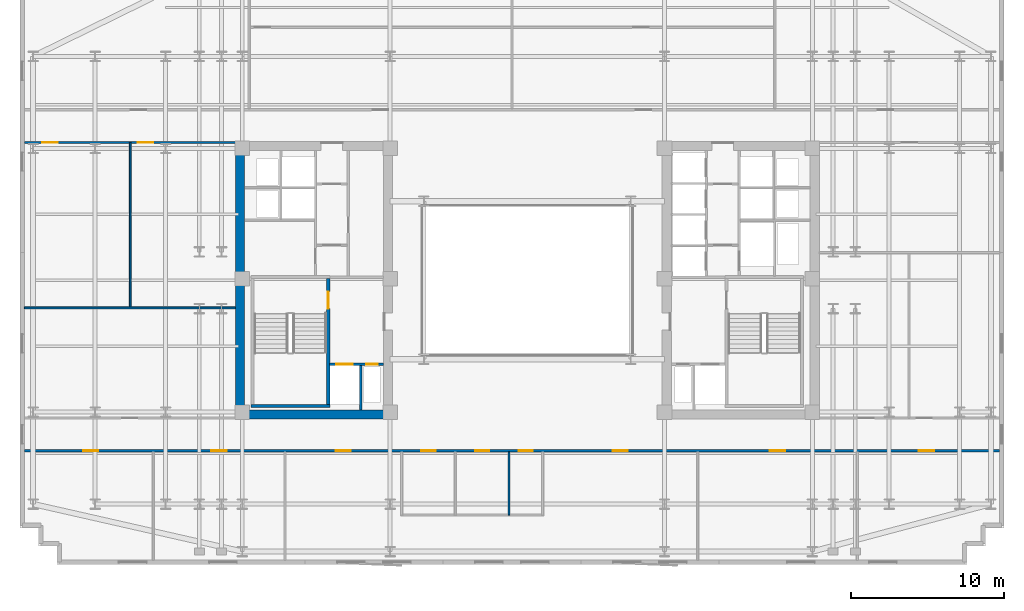
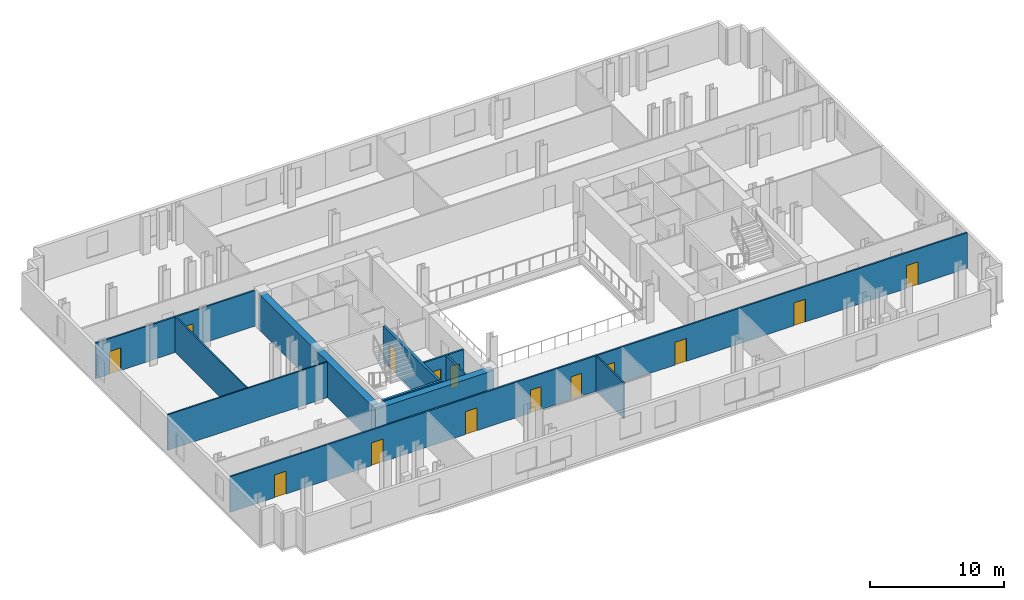
# One storey, part 4 of 10: 14 doors, 11 walls, 14 openings.
"""IFC4 building model written with IfcOpenShell, lengths in metres."""

from ifc_helpers import new_model, si_unit, direction, frame, frame_2d, origin, place, context, subcontext, project, spatial, rectangle, extrude, material, layer, layer_set, type_object, element, fill, save


model = new_model("IFC4")

# Units and contexts
model_context = context("Model", 3, precision=1e-05, world=origin(), true_north=direction((0.0, 1.0)))
body_context = subcontext(model_context, "Body", "Model", "MODEL_VIEW")
ifc_project = project(units=[si_unit("LENGTHUNIT", "METRE"), si_unit("AREAUNIT", "SQUARE_METRE"), si_unit("VOLUMEUNIT", "CUBIC_METRE"), si_unit("PLANEANGLEUNIT", "RADIAN"), si_unit("MASSUNIT", "GRAM", prefix="KILO")], contexts=[model_context])

# Site, building, storey
site_placement = place(None, origin())
site = spatial("IfcSite", under=ifc_project, at=site_placement, CompositionType="ELEMENT")
building_placement = place(site_placement, origin())
building = spatial("IfcBuilding", under=site, at=building_placement, Name="Velakula Bourse", CompositionType="ELEMENT")
storey_placement = place(building_placement, frame((0.0, 0.0, 141.550048828125)))
storey = spatial("IfcBuildingStorey", under=building, at=storey_placement, Name="L38", CompositionType="ELEMENT", Elevation=141.550048828125)

# Wall, opening, door
ifc_material_1 = material(Name="Concrete M50 (fck 50 MPa)", Category="concrete")
ifc_layer_1 = layer(ifc_material_1, 0.2099609375, Name="Concrete M50 (fck 50 MPa)", Category="concrete")
ifc_layer_set_1 = layer_set([ifc_layer_1], Name="Concrete M50 (fck 50 MPa)")
wall_type_1 = type_object("IfcWallType", Name="WL-CORE-210", PredefinedType="SHEAR", material=ifc_layer_set_1)
wall_1_placement = place(storey_placement, frame((-12.9951171875, -8.10009765625, 0.0), z_axis=(0.0, 0.0, 1.0), x_axis=(0.0, 1.0, 0.0)))
wall_1 = element("IfcWall", 1, at=wall_1_placement, inside=storey, type_object=wall_type_1, Name="L38 Core W Stairwell Shear Wall IN", PredefinedType="SHEAR", context=body_context, shape_type="SweptSolid", body=[
    extrude(rectangle(XDim=8.2001953125, YDim=0.2099609375, at=frame_2d((4.10009765625, 0.0))), origin(), (0.0, 0.0, 1.0), 3.27001953125),
])
opening_1_placement = place(wall_1_placement, frame((6.25, 0.0, 0.0)))
opening_1 = element("IfcOpeningElement", 2, at=opening_1_placement, cuts=wall_1, Name="Opening D-STW1", PredefinedType="OPENING", context=body_context, shape_type="SweptSolid", body=[
    extrude(rectangle(XDim=1.10009765625, YDim=2.14990234375, at=frame_2d((0.550048828125, 1.074951171875))), frame((0.0, 0.114990234375, 0.0), z_axis=(0.0, -1.0, 0.0), x_axis=(1.0, 0.0, 0.0)), (0.0, 0.0, 1.0), 0.22998046875),
])
ifc_material_2 = material(Name="Galvanised painted hollow steel fire door", Category="steel")
door_type_1 = type_object("IfcDoorType", Name="DR-FD120-1100x2150", OperationType="NOTDEFINED", PredefinedType="DOOR", material=ifc_material_2)
door_1_placement = place(opening_1_placement, origin())
door_1 = element("IfcDoor", 3, at=door_1_placement, inside=storey, type_object=door_type_1, Name="L38 Stair ST-W1 Fire Door", OperationType="SINGLE_SWING_LEFT", OverallHeight=2.14990234375, OverallWidth=1.10009765625, PredefinedType="DOOR", context=body_context, shape_type="SweptSolid", body=[
    extrude(rectangle(XDim=1.10009765625, YDim=2.14990234375, at=frame_2d((0.550048828125, 1.074951171875))), frame((0.0, 0.02490234375, 0.0), z_axis=(0.0, -1.0, 0.0), x_axis=(1.0, 0.0, 0.0)), (0.0, 0.0, 1.0), 0.050048828125),
])
fill(opening_1, door_1)

# Walls
wall_2_placement = place(storey_placement, frame((-18.030029296875, -8.205078125, 0.0), z_axis=(0.0, 0.0, 1.0), x_axis=(1.0, 0.0, 0.0)))
element("IfcWall", 4, at=wall_2_placement, inside=storey, type_object=wall_type_1, Name="L38 Core W Stairwell Shear Wall S", PredefinedType="SHEAR", context=body_context, shape_type="SweptSolid", body=[
    extrude(rectangle(XDim=5.14013671875, YDim=0.2099609375, at=frame_2d((2.570068359375, 0.0))), origin(), (0.0, 0.0, 1.0), 3.27001953125),
])
ifc_material_3 = material(Name="Concrete M70 (fck 70 MPa)", Category="concrete")
ifc_layer_2 = layer(ifc_material_3, 0.60009765625, Name="Concrete M70 (fck 70 MPa)", Category="concrete")
ifc_layer_set_2 = layer_set([ifc_layer_2], Name="Concrete M70 (fck 70 MPa)")
wall_type_2 = type_object("IfcWallType", Name="WL-CORE-600", PredefinedType="SHEAR", material=ifc_layer_set_2)
wall_3_placement = place(storey_placement, frame((-19.050048828125, -8.75, 0.0), z_axis=(0.0, 0.0, 1.0), x_axis=(1.0, 0.0, 0.0)))
element("IfcWall", 5, at=wall_3_placement, inside=storey, type_object=wall_type_2, Name="L38 Core W Shear Wall S", PredefinedType="SHEAR", context=body_context, shape_type="SweptSolid", body=[
    extrude(rectangle(XDim=10.25, YDim=0.60009765625, at=frame_2d((5.125, 0.0))), origin(), (0.0, 0.0, 1.0), 3.27001953125),
])
wall_4_placement = place(storey_placement, frame((-18.75, -8.449951171875, 0.0), z_axis=(0.0, 0.0, 1.0), x_axis=(0.0, 1.0, 0.0)))
element("IfcWall", 6, at=wall_4_placement, inside=storey, type_object=wall_type_2, Name="L38 Core W Shear Wall W", PredefinedType="SHEAR", context=body_context, shape_type="SweptSolid", body=[
    extrude(rectangle(XDim=16.89990234375, YDim=0.60009765625, at=frame_2d((8.449951171875, 0.0))), origin(), (0.0, 0.0, 1.0), 3.27001953125),
])
ifc_material_4 = material(Name="Fire-rated double-layer gypsum drywall partition", Category="gypsum")
ifc_layer_3 = layer(ifc_material_4, 0.1201171875, Name="Fire-rated double-layer gypsum drywall partition", Category="gypsum")
ifc_layer_set_3 = layer_set([ifc_layer_3], Name="Fire-rated double-layer gypsum drywall partition")
wall_type_3 = type_object("IfcWallType", Name="WL-PART-120", PredefinedType="STANDARD", material=ifc_layer_set_3)
wall_5_placement = place(storey_placement, frame((-1.199951171875, -15.320068359375, 0.0), z_axis=(0.0, 0.0, 1.0), x_axis=(0.0, 1.0, 0.0)))
element("IfcWall", 7, at=wall_5_placement, inside=storey, type_object=wall_type_3, Name="L38 Interior Partition WL-WC-L38-V3", PredefinedType="STANDARD", context=body_context, shape_type="SweptSolid", body=[
    extrude(rectangle(XDim=4.130126953125, YDim=0.1201171875, at=frame_2d((2.06494140625, 0.0))), origin(), (0.0, 0.0, 1.0), 3.25),
])
wall_6_placement = place(storey_placement, frame((-32.820068359375, -1.800048828125, 0.0), z_axis=(0.0, 0.0, 1.0), x_axis=(1.0, 0.0, 0.0)))
element("IfcWall", 8, at=wall_6_placement, inside=storey, type_object=wall_type_3, Name="L38 Interior Partition WL-INT-L38-W-H", PredefinedType="STANDARD", context=body_context, shape_type="SweptSolid", body=[
    extrude(rectangle(XDim=13.77001953125, YDim=0.1201171875, at=frame_2d((6.885009765625, 0.0))), origin(), (0.0, 0.0, 1.0), 3.25),
])
wall_7_placement = place(storey_placement, frame((-25.905029296875, -1.739990234375, 0.0), z_axis=(0.0, 0.0, 1.0), x_axis=(0.0, 1.0, 0.0)))
element("IfcWall", 9, at=wall_7_placement, inside=storey, type_object=wall_type_3, Name="L38 Interior Partition WL-INT-L38-W-VN", PredefinedType="STANDARD", context=body_context, shape_type="SweptSolid", body=[
    extrude(rectangle(XDim=10.719970703125, YDim=0.1201171875, at=frame_2d((5.35986328125, 0.0))), origin(), (0.0, 0.0, 1.0), 3.25),
])

# Wall, openings, doors
ifc_layer_4 = layer(ifc_material_4, 0.139892578125, Name="Fire-rated double-layer gypsum drywall partition", Category="gypsum")
ifc_layer_set_4 = layer_set([ifc_layer_4], Name="Fire-rated double-layer gypsum drywall partition")
wall_type_4 = type_object("IfcWallType", Name="WL-PART-140", PredefinedType="STANDARD", material=ifc_layer_set_4)
wall_8_placement = place(storey_placement, frame((-32.820068359375, -11.1201171875, 0.0), z_axis=(0.0, 0.0, 1.0), x_axis=(1.0, 0.0, 0.0)))
wall_8 = element("IfcWall", 10, at=wall_8_placement, inside=storey, type_object=wall_type_4, Name="L38 Interior Partition WL-INT-L38-S-CORR", PredefinedType="STANDARD", context=body_context, shape_type="SweptSolid", body=[
    extrude(rectangle(XDim=63.64013671875, YDim=0.139892578125, at=frame_2d((31.820068359375, 0.0))), origin(), (0.0, 0.0, 1.0), 3.25),
])
opening_2_placement = place(wall_8_placement, frame((25.909912109375, 0.0, 0.0)))
opening_2 = element("IfcOpeningElement", 11, at=opening_2_placement, cuts=wall_8, Name="Opening D-WT1", PredefinedType="OPENING", context=body_context, shape_type="SweptSolid", body=[
    extrude(rectangle(XDim=0.919921875, YDim=2.080078125, at=frame_2d((0.4599609375, 1.0400390625))), frame((0.0, 0.079833984375, 0.0), z_axis=(0.0, -1.0, 0.0), x_axis=(1.0, 0.0, 0.0)), (0.0, 0.0, 1.0), 0.159912109375),
])
opening_3_placement = place(wall_8_placement, frame((29.409912109375, 0.0, 0.0)))
opening_3 = element("IfcOpeningElement", 12, at=opening_3_placement, cuts=wall_8, Name="Opening D-WT1", PredefinedType="OPENING", context=body_context, shape_type="SweptSolid", body=[
    extrude(rectangle(XDim=0.919921875, YDim=2.080078125, at=frame_2d((0.4599609375, 1.0400390625))), frame((0.0, 0.079833984375, 0.0), z_axis=(0.0, -1.0, 0.0), x_axis=(1.0, 0.0, 0.0)), (0.0, 0.0, 1.0), 0.159912109375),
])
opening_4_placement = place(wall_8_placement, frame((32.260009765625, 0.0, 0.0)))
opening_4 = element("IfcOpeningElement", 13, at=opening_4_placement, cuts=wall_8, Name="Opening D-WC1", PredefinedType="OPENING", context=body_context, shape_type="SweptSolid", body=[
    extrude(rectangle(XDim=0.919921875, YDim=2.080078125, at=frame_2d((0.4599609375, 1.0400390625))), frame((0.0, 0.079833984375, 0.0), z_axis=(0.0, -1.0, 0.0), x_axis=(1.0, 0.0, 0.0)), (0.0, 0.0, 1.0), 0.159912109375),
])
opening_5_placement = place(wall_8_placement, frame((3.8310546875, 0.0, 0.0)))
opening_5 = element("IfcOpeningElement", 14, at=opening_5_placement, cuts=wall_8, Name="Opening D-OF1", PredefinedType="OPENING", context=body_context, shape_type="SweptSolid", body=[
    extrude(rectangle(XDim=1.0, YDim=2.080078125, at=frame_2d((0.5, 1.0400390625))), frame((0.0, 0.079833984375, 0.0), z_axis=(0.0, -1.0, 0.0), x_axis=(1.0, 0.0, 0.0)), (0.0, 0.0, 1.0), 0.159912109375),
])
opening_6_placement = place(wall_8_placement, frame((12.2080078125, 0.0, 0.0)))
opening_6 = element("IfcOpeningElement", 15, at=opening_6_placement, cuts=wall_8, Name="Opening D-OF1", PredefinedType="OPENING", context=body_context, shape_type="SweptSolid", body=[
    extrude(rectangle(XDim=1.0, YDim=2.080078125, at=frame_2d((0.5, 1.0400390625))), frame((0.0, 0.079833984375, 0.0), z_axis=(0.0, -1.0, 0.0), x_axis=(1.0, 0.0, 0.0)), (0.0, 0.0, 1.0), 0.159912109375),
])
opening_7_placement = place(wall_8_placement, frame((20.31298828125, 0.0, 0.0)))
opening_7 = element("IfcOpeningElement", 16, at=opening_7_placement, cuts=wall_8, Name="Opening D-OF1", PredefinedType="OPENING", context=body_context, shape_type="SweptSolid", body=[
    extrude(rectangle(XDim=1.0, YDim=2.080078125, at=frame_2d((0.5, 1.0400390625))), frame((0.0, 0.079833984375, 0.0), z_axis=(0.0, -1.0, 0.0), x_axis=(1.0, 0.0, 0.0)), (0.0, 0.0, 1.0), 0.159912109375),
])
opening_8_placement = place(wall_8_placement, frame((38.37890625, 0.0, 0.0)))
opening_8 = element("IfcOpeningElement", 17, at=opening_8_placement, cuts=wall_8, Name="Opening D-OF1", PredefinedType="OPENING", context=body_context, shape_type="SweptSolid", body=[
    extrude(rectangle(XDim=1.0, YDim=2.080078125, at=frame_2d((0.5, 1.0400390625))), frame((0.0, 0.079833984375, 0.0), z_axis=(0.0, -1.0, 0.0), x_axis=(1.0, 0.0, 0.0)), (0.0, 0.0, 1.0), 0.159912109375),
])
opening_9_placement = place(wall_8_placement, frame((48.64599609375, 0.0, 0.0)))
opening_9 = element("IfcOpeningElement", 18, at=opening_9_placement, cuts=wall_8, Name="Opening D-OF1", PredefinedType="OPENING", context=body_context, shape_type="SweptSolid", body=[
    extrude(rectangle(XDim=1.0, YDim=2.080078125, at=frame_2d((0.5, 1.0400390625))), frame((0.0, 0.079833984375, 0.0), z_axis=(0.0, -1.0, 0.0), x_axis=(1.0, 0.0, 0.0)), (0.0, 0.0, 1.0), 0.159912109375),
])
opening_10_placement = place(wall_8_placement, frame((58.37109375, 0.0, 0.0)))
opening_10 = element("IfcOpeningElement", 19, at=opening_10_placement, cuts=wall_8, Name="Opening D-OF1", PredefinedType="OPENING", context=body_context, shape_type="SweptSolid", body=[
    extrude(rectangle(XDim=1.0, YDim=2.080078125, at=frame_2d((0.5, 1.0400390625))), frame((0.0, 0.079833984375, 0.0), z_axis=(0.0, -1.0, 0.0), x_axis=(1.0, 0.0, 0.0)), (0.0, 0.0, 1.0), 0.159912109375),
])
ifc_material_5 = material(Name="Fire-rated hardwood flush architectural door", Category="wood")
door_type_2 = type_object("IfcDoorType", Name="DR-OFF-1000", OperationType="NOTDEFINED", PredefinedType="DOOR", material=ifc_material_5)
door_2_placement = place(opening_5_placement, origin())
door_2 = element("IfcDoor", 20, at=door_2_placement, inside=storey, type_object=door_type_2, Name="L38 Breakout Dining Lounge Door", OperationType="SINGLE_SWING_RIGHT", OverallHeight=2.080078125, OverallWidth=1.0, PredefinedType="DOOR", context=body_context, shape_type="SweptSolid", body=[
    extrude(rectangle(XDim=1.0, YDim=2.080078125, at=frame_2d((0.5, 1.0400390625))), frame((0.0, 0.02490234375, 0.0), z_axis=(0.0, -1.0, 0.0), x_axis=(1.0, 0.0, 0.0)), (0.0, 0.0, 1.0), 0.050048828125),
])
fill(opening_5, door_2)
door_3_placement = place(opening_6_placement, origin())
door_3 = element("IfcDoor", 21, at=door_3_placement, inside=storey, type_object=door_type_2, Name="L38 Issuer Relations Office Door", OperationType="SINGLE_SWING_LEFT", OverallHeight=2.080078125, OverallWidth=1.0, PredefinedType="DOOR", context=body_context, shape_type="SweptSolid", body=[
    extrude(rectangle(XDim=1.0, YDim=2.080078125, at=frame_2d((0.5, 1.0400390625))), frame((0.0, 0.02490234375, 0.0), z_axis=(0.0, -1.0, 0.0), x_axis=(1.0, 0.0, 0.0)), (0.0, 0.0, 1.0), 0.050048828125),
])
fill(opening_6, door_3)
door_4_placement = place(opening_7_placement, origin())
door_4 = element("IfcDoor", 22, at=door_4_placement, inside=storey, type_object=door_type_2, Name="L38 Clearing Committee Room Door", OperationType="SINGLE_SWING_RIGHT", OverallHeight=2.080078125, OverallWidth=1.0, PredefinedType="DOOR", context=body_context, shape_type="SweptSolid", body=[
    extrude(rectangle(XDim=1.0, YDim=2.080078125, at=frame_2d((0.5, 1.0400390625))), frame((0.0, 0.02490234375, 0.0), z_axis=(0.0, -1.0, 0.0), x_axis=(1.0, 0.0, 0.0)), (0.0, 0.0, 1.0), 0.050048828125),
])
fill(opening_7, door_4)
door_5_placement = place(opening_8_placement, origin())
door_5 = element("IfcDoor", 23, at=door_5_placement, inside=storey, type_object=door_type_2, Name="L38 Tea Room Kitchenette Door", OperationType="SINGLE_SWING_LEFT", OverallHeight=2.080078125, OverallWidth=1.0, PredefinedType="DOOR", context=body_context, shape_type="SweptSolid", body=[
    extrude(rectangle(XDim=1.0, YDim=2.080078125, at=frame_2d((0.5, 1.0400390625))), frame((0.0, 0.02490234375, 0.0), z_axis=(0.0, -1.0, 0.0), x_axis=(1.0, 0.0, 0.0)), (0.0, 0.0, 1.0), 0.050048828125),
])
fill(opening_8, door_5)
door_6_placement = place(opening_9_placement, origin())
door_6 = element("IfcDoor", 24, at=door_6_placement, inside=storey, type_object=door_type_2, Name="L38 Cash Equities Dealing Workspace Door", OperationType="SINGLE_SWING_RIGHT", OverallHeight=2.080078125, OverallWidth=1.0, PredefinedType="DOOR", context=body_context, shape_type="SweptSolid", body=[
    extrude(rectangle(XDim=1.0, YDim=2.080078125, at=frame_2d((0.5, 1.0400390625))), frame((0.0, 0.02490234375, 0.0), z_axis=(0.0, -1.0, 0.0), x_axis=(1.0, 0.0, 0.0)), (0.0, 0.0, 1.0), 0.050048828125),
])
fill(opening_9, door_6)
door_7_placement = place(opening_10_placement, origin())
door_7 = element("IfcDoor", 25, at=door_7_placement, inside=storey, type_object=door_type_2, Name="L38 Asset Allocation Office Door", OperationType="SINGLE_SWING_LEFT", OverallHeight=2.080078125, OverallWidth=1.0, PredefinedType="DOOR", context=body_context, shape_type="SweptSolid", body=[
    extrude(rectangle(XDim=1.0, YDim=2.080078125, at=frame_2d((0.5, 1.0400390625))), frame((0.0, 0.02490234375, 0.0), z_axis=(0.0, -1.0, 0.0), x_axis=(1.0, 0.0, 0.0)), (0.0, 0.0, 1.0), 0.050048828125),
])
fill(opening_10, door_7)
door_type_3 = type_object("IfcDoorType", Name="DR-WC-950", OperationType="NOTDEFINED", PredefinedType="DOOR", material=ifc_material_5)
door_8_placement = place(opening_2_placement, origin())
door_8 = element("IfcDoor", 26, at=door_8_placement, inside=storey, type_object=door_type_3, Name="L38 Male Staff Toilet Door", OperationType="SINGLE_SWING_LEFT", OverallHeight=2.080078125, OverallWidth=0.919921875, PredefinedType="DOOR", context=body_context, shape_type="SweptSolid", body=[
    extrude(rectangle(XDim=0.919921875, YDim=2.080078125, at=frame_2d((0.4599609375, 1.0400390625))), frame((0.0, 0.02490234375, 0.0), z_axis=(0.0, -1.0, 0.0), x_axis=(1.0, 0.0, 0.0)), (0.0, 0.0, 1.0), 0.050048828125),
])
fill(opening_2, door_8)
door_9_placement = place(opening_3_placement, origin())
door_9 = element("IfcDoor", 27, at=door_9_placement, inside=storey, type_object=door_type_3, Name="L38 Female Staff Toilet Door", OperationType="SINGLE_SWING_RIGHT", OverallHeight=2.080078125, OverallWidth=0.919921875, PredefinedType="DOOR", context=body_context, shape_type="SweptSolid", body=[
    extrude(rectangle(XDim=0.919921875, YDim=2.080078125, at=frame_2d((0.4599609375, 1.0400390625))), frame((0.0, 0.02490234375, 0.0), z_axis=(0.0, -1.0, 0.0), x_axis=(1.0, 0.0, 0.0)), (0.0, 0.0, 1.0), 0.050048828125),
])
fill(opening_3, door_9)
door_10_placement = place(opening_4_placement, origin())
door_10 = element("IfcDoor", 28, at=door_10_placement, inside=storey, type_object=door_type_3, Name="L38 Accessible WC Door", OperationType="SINGLE_SWING_LEFT", OverallHeight=2.080078125, OverallWidth=0.919921875, PredefinedType="DOOR", context=body_context, shape_type="SweptSolid", body=[
    extrude(rectangle(XDim=0.919921875, YDim=2.080078125, at=frame_2d((0.4599609375, 1.0400390625))), frame((0.0, 0.02490234375, 0.0), z_axis=(0.0, -1.0, 0.0), x_axis=(1.0, 0.0, 0.0)), (0.0, 0.0, 1.0), 0.050048828125),
])
fill(opening_4, door_10)

wall_9_placement = place(storey_placement, frame((-32.820068359375, 8.97998046875, 0.0), z_axis=(0.0, 0.0, 1.0), x_axis=(1.0, 0.0, 0.0)))
wall_9 = element("IfcWall", 29, at=wall_9_placement, inside=storey, type_object=wall_type_4, Name="L38 Interior Partition WL-INT-L38-W-NC", PredefinedType="STANDARD", context=body_context, shape_type="SweptSolid", body=[
    extrude(rectangle(XDim=13.77001953125, YDim=0.139892578125, at=frame_2d((6.885009765625, 0.0))), origin(), (0.0, 0.0, 1.0), 3.25),
])
opening_11_placement = place(wall_9_placement, frame((1.17138671875, 0.0, 0.0)))
opening_11 = element("IfcOpeningElement", 30, at=opening_11_placement, cuts=wall_9, Name="Opening D-OF1", PredefinedType="OPENING", context=body_context, shape_type="SweptSolid", body=[
    extrude(rectangle(XDim=1.0, YDim=2.080078125, at=frame_2d((0.5, 1.0400390625))), frame((0.0, 0.079833984375, 0.0), z_axis=(0.0, -1.0, 0.0), x_axis=(1.0, 0.0, 0.0)), (0.0, 0.0, 1.0), 0.159912109375),
])
opening_12_placement = place(wall_9_placement, frame((7.4130859375, 0.0, 0.0)))
opening_12 = element("IfcOpeningElement", 31, at=opening_12_placement, cuts=wall_9, Name="Opening D-OF1", PredefinedType="OPENING", context=body_context, shape_type="SweptSolid", body=[
    extrude(rectangle(XDim=1.0, YDim=2.080078125, at=frame_2d((0.5, 1.0400390625))), frame((0.0, 0.079833984375, 0.0), z_axis=(0.0, -1.0, 0.0), x_axis=(1.0, 0.0, 0.0)), (0.0, 0.0, 1.0), 0.159912109375),
])
door_11_placement = place(opening_11_placement, origin())
door_11 = element("IfcDoor", 32, at=door_11_placement, inside=storey, type_object=door_type_2, Name="L38 Asset Allocation Office Door", OperationType="SINGLE_SWING_RIGHT", OverallHeight=2.080078125, OverallWidth=1.0, PredefinedType="DOOR", context=body_context, shape_type="SweptSolid", body=[
    extrude(rectangle(XDim=1.0, YDim=2.080078125, at=frame_2d((0.5, 1.0400390625))), frame((0.0, 0.02490234375, 0.0), z_axis=(0.0, -1.0, 0.0), x_axis=(1.0, 0.0, 0.0)), (0.0, 0.0, 1.0), 0.050048828125),
])
fill(opening_11, door_11)
door_12_placement = place(opening_12_placement, origin())
door_12 = element("IfcDoor", 33, at=door_12_placement, inside=storey, type_object=door_type_2, Name="L38 Executive Boardroom Door", OperationType="SINGLE_SWING_LEFT", OverallHeight=2.080078125, OverallWidth=1.0, PredefinedType="DOOR", context=body_context, shape_type="SweptSolid", body=[
    extrude(rectangle(XDim=1.0, YDim=2.080078125, at=frame_2d((0.5, 1.0400390625))), frame((0.0, 0.02490234375, 0.0), z_axis=(0.0, -1.0, 0.0), x_axis=(1.0, 0.0, 0.0)), (0.0, 0.0, 1.0), 0.050048828125),
])
fill(opening_12, door_12)

ifc_material_6 = material(Name="Autoclaved aerated concrete blockwork masonry", Category="masonry")
ifc_layer_5 = layer(ifc_material_6, 0.14990234375, Name="Autoclaved aerated concrete blockwork masonry", Category="masonry")
ifc_layer_set_5 = layer_set([ifc_layer_5], Name="Autoclaved aerated concrete blockwork masonry")
wall_type_5 = type_object("IfcWallType", Name="WL-SHAFT-150", PredefinedType="STANDARD", material=ifc_layer_set_5)
wall_10_placement = place(storey_placement, frame((-12.89501953125, -5.47509765625, 0.0), z_axis=(0.0, 0.0, 1.0), x_axis=(1.0, 0.0, 0.0)))
wall_10 = element("IfcWall", 34, at=wall_10_placement, inside=storey, type_object=wall_type_5, Name="L38 Interior Partition WL-CRW-L38-FFL-N", PredefinedType="STANDARD", context=body_context, shape_type="SweptSolid", body=[
    extrude(rectangle(XDim=3.4951171875, YDim=0.14990234375, at=frame_2d((1.74755859375, 0.0))), origin(), (0.0, 0.0, 1.0), 3.25),
])
opening_13_placement = place(wall_10_placement, frame((0.419921875, 0.0, 0.0)))
opening_13 = element("IfcOpeningElement", 35, at=opening_13_placement, cuts=wall_10, Name="Opening LD-FFL-1", PredefinedType="OPENING", context=body_context, shape_type="SweptSolid", body=[
    extrude(rectangle(XDim=1.10009765625, YDim=2.14990234375, at=frame_2d((0.550048828125, 1.074951171875))), frame((0.0, 0.0849609375, 0.0), z_axis=(0.0, -1.0, 0.0), x_axis=(1.0, 0.0, 0.0)), (0.0, 0.0, 1.0), 0.169921875),
])
opening_14_placement = place(wall_10_placement, frame((2.3701171875, 0.0, 0.0)))
opening_14 = element("IfcOpeningElement", 36, at=opening_14_placement, cuts=wall_10, Name="Opening D-RS1", PredefinedType="OPENING", context=body_context, shape_type="SweptSolid", body=[
    extrude(rectangle(XDim=0.75, YDim=2.050048828125, at=frame_2d((0.375, 1.02490234375))), frame((0.0, 0.0849609375, 0.0), z_axis=(0.0, -1.0, 0.0), x_axis=(1.0, 0.0, 0.0)), (0.0, 0.0, 1.0), 0.169921875),
])
door_type_4 = type_object("IfcDoorType", Name="DR-RISER-800", OperationType="NOTDEFINED", PredefinedType="DOOR", material=ifc_material_2)
door_13_placement = place(opening_14_placement, origin())
door_13 = element("IfcDoor", 37, at=door_13_placement, inside=storey, type_object=door_type_4, Name="L38 Fire Riser Access Door", OperationType="SINGLE_SWING_LEFT", OverallHeight=2.050048828125, OverallWidth=0.75, PredefinedType="DOOR", context=body_context, shape_type="SweptSolid", body=[
    extrude(rectangle(XDim=0.75, YDim=2.050048828125, at=frame_2d((0.375, 1.02490234375))), frame((0.0, 0.02490234375, 0.0), z_axis=(0.0, -1.0, 0.0), x_axis=(1.0, 0.0, 0.0)), (0.0, 0.0, 1.0), 0.050048828125),
])
fill(opening_14, door_13)
ifc_material_7 = material(Name="Brushed grade 316 stainless steel", Category="steel")
door_type_5 = type_object("IfcDoorType", Name="DR-SLIDE-FFL-1100", OperationType="DOUBLE_DOOR_SLIDING", PredefinedType="DOOR", material=ifc_material_7)
door_14_placement = place(opening_13_placement, origin())
door_14 = element("IfcDoor", 38, at=door_14_placement, inside=storey, type_object=door_type_5, Name="L38 Firefighting Lift FFL-1 Sliding Landing Door", OperationType="DOUBLE_DOOR_SLIDING", OverallHeight=2.14990234375, OverallWidth=1.10009765625, PredefinedType="DOOR", context=body_context, shape_type="SweptSolid", body=[
    extrude(rectangle(XDim=1.10009765625, YDim=2.14990234375, at=frame_2d((0.550048828125, 1.074951171875))), frame((0.0, 0.02490234375, 0.0), z_axis=(0.0, -1.0, 0.0), x_axis=(1.0, 0.0, 0.0)), (0.0, 0.0, 1.0), 0.050048828125),
])
fill(opening_13, door_14)

# Wall
wall_11_placement = place(storey_placement, frame((-10.875, -8.449951171875, 0.0), z_axis=(0.0, 0.0, 1.0), x_axis=(0.0, 1.0, 0.0)))
element("IfcWall", 39, at=wall_11_placement, inside=storey, type_object=wall_type_5, Name="L38 Interior Partition WL-CRW-L38-FR-DIV", PredefinedType="STANDARD", context=body_context, shape_type="SweptSolid", body=[
    extrude(rectangle(XDim=2.89990234375, YDim=0.14990234375, at=frame_2d((1.449951171875, 0.0))), origin(), (0.0, 0.0, 1.0), 3.25),
])

save(model, "model.ifc")
